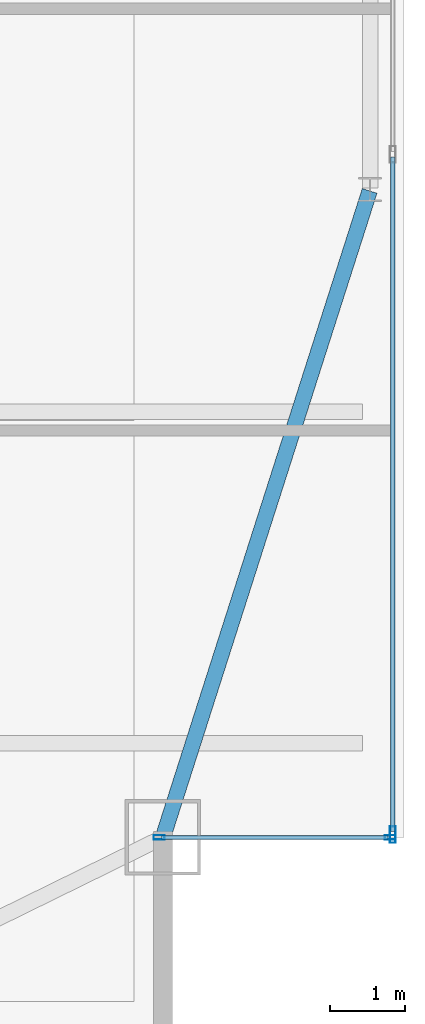
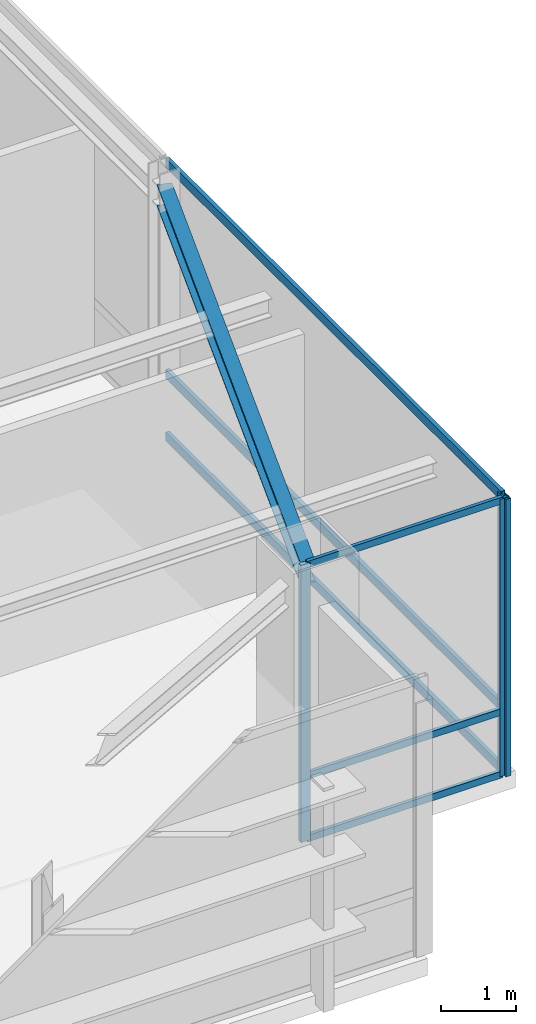
# One storey, part 14 of 21: 9 members, 1 beam, 2 elements without a shape of their own.
"""IFC4 building model written with IfcOpenShell, lengths in metres."""

from ifc_helpers import new_model, si_unit, direction, frame, origin, origin_2d, place, context, subcontext, project, spatial, hollow_rectangle, i_section, extrude, source, transform, mapped, material, layer, layer_set, material_profile, profile_set, type_object, type_shapes, element, aggregate, save


model = new_model("IFC4")

# Units and contexts
model_context = context("Model", 3, precision=1e-05, world=origin(), true_north=direction((0.0, 1.0)))
body_context = subcontext(model_context, "Body", "Model", "MODEL_VIEW")
ifc_project = project(units=[si_unit("LENGTHUNIT", "METRE"), si_unit("AREAUNIT", "SQUARE_METRE"), si_unit("VOLUMEUNIT", "CUBIC_METRE"), si_unit("PLANEANGLEUNIT", "RADIAN"), si_unit("MASSUNIT", "GRAM", prefix="KILO")], contexts=[model_context])

# Site, building, storey
site_placement = place(None, origin())
site = spatial("IfcSite", under=ifc_project, at=site_placement, CompositionType="ELEMENT")
building_placement = place(site_placement, origin())
building = spatial("IfcBuilding", under=site, at=building_placement, Name="Varnel Quay Broadcast Tower", CompositionType="ELEMENT")
storey_placement = place(building_placement, frame((0.0, 0.0, 300.199951171875)))
storey = spatial("IfcBuildingStorey", under=building, at=storey_placement, Name="L75", CompositionType="ELEMENT", Elevation=300.199951171875)

# Beam
ifc_material_1 = material(Name="Structural Steel CSA G40.21 350W", Category="steel")
ifc_material_profile_1 = material_profile(ifc_material_1, i_section(OverallWidth=0.205078125, OverallDepth=0.35400390625, WebThickness=0.009521484375, FlangeThickness=0.016845703125, FilletRadius=0.012939453125, at=origin_2d()), Name="W360X79")
ifc_profile_set_1 = profile_set([ifc_material_profile_1], Name="Structural Steel CSA G40.21 350W")
beam_type = type_object("IfcBeamType", Name="Beam_W360X79", PredefinedType="SPANDREL", material=ifc_profile_set_1)
shared_shape_1 = source(origin(), body_context, "Body", "SweptSolid", [
    extrude(i_section(OverallWidth=0.205078125, OverallDepth=0.35400390625, WebThickness=0.009521484375, FlangeThickness=0.016845703125, FilletRadius=0.012939453125, at=origin_2d()), origin(), (0.0, 0.0, 1.0), 8.989013671875),
])
type_shapes(beam_type, [shared_shape_1])
beam_placement = place(storey_placement, frame((52.80615234375, 16.4189453125, 4.343017578125), z_axis=(0.304568770162, 0.952490348635, 0.0), x_axis=(-0.952490348635, 0.304568770162, 0.0)))
element("IfcBeam", 1, at=beam_placement, inside=storey, type_object=beam_type, Name="L75 East Spandrel MC-SE-TC-E1", PredefinedType="SPANDREL", context=body_context, shape_type="MappedRepresentation", body=[
    mapped(shared_shape_1, transform((0.0, 0.0, 0.0), x_axis=(1.0, 0.0, 0.0), y_axis=(0.0, 1.0, 0.0), z_axis=(0.0, 0.0, 1.0), scale=1.0)),
])

# Curtain wall, members
ifc_material_2 = material(Name="Anodised Bronze Aluminium 6063-T6", Category="aluminium")
ifc_layer_1 = layer(ifc_material_2, 0.18994140625, Name="Anodised Bronze Aluminium 6063-T6")
ifc_layer_set_1 = layer_set([ifc_layer_1], Name="Anodised Bronze Aluminium 6063-T6")
curtain_wall_type_1 = type_object("IfcCurtainWallType", Name="CW_NotchCorner", PredefinedType="NOTDEFINED", material=ifc_layer_set_1)
curtain_wall_1_placement = place(storey_placement, origin())
curtain_wall_1 = element("IfcCurtainWall", 2, at=curtain_wall_1_placement, inside=storey, type_object=curtain_wall_type_1, Name="L75 SE Notch Curtain Wall", PredefinedType="NOTDEFINED")
ifc_material_profile_2 = material_profile(ifc_material_2, hollow_rectangle(XDim=0.054931640625, YDim=0.110107421875, WallThickness=0.0029296875, at=origin_2d()), Name="ALU55X110X3")
ifc_profile_set_2 = profile_set([ifc_material_profile_2], Name="Anodised Bronze Aluminium 6063-T6")
member_type_1 = type_object("IfcMemberType", Name="Tran_CWS-04", PredefinedType="USERDEFINED", material=ifc_profile_set_2)
shared_shape_2 = source(origin(), body_context, "Body", "SweptSolid", [
    extrude(hollow_rectangle(XDim=0.054931640625, YDim=0.110107421875, WallThickness=0.0029296875, at=origin_2d()), origin(), (0.0, 0.0, 1.0), 3.010009765625),
])
type_shapes(member_type_1, [shared_shape_2])
member_1_placement = place(storey_placement, frame((52.780029296875, 16.39990234375, 0.027587890625), z_axis=(1.0, 0.0, 0.0), x_axis=(0.0, 1.0, 0.0)))
member_1 = element("IfcMember", 3, at=member_1_placement, type_object=member_type_1, Name="CWS-04 transom 1.1", ObjectType="TRANSOM", PredefinedType="USERDEFINED", context=body_context, shape_type="MappedRepresentation", body=[
    mapped(shared_shape_2, transform((0.0, 0.0, 0.0), x_axis=(1.0, 0.0, 0.0), y_axis=(0.0, 1.0, 0.0), z_axis=(0.0, 0.0, 1.0), scale=1.0)),
])
member_2_placement = place(storey_placement, frame((52.780029296875, 16.39990234375, 1.050048828125), z_axis=(1.0, 0.0, 0.0), x_axis=(0.0, 1.0, 0.0)))
member_2 = element("IfcMember", 4, at=member_2_placement, type_object=member_type_1, Name="CWS-04 transom 1.2", ObjectType="TRANSOM", PredefinedType="USERDEFINED", context=body_context, shape_type="MappedRepresentation", body=[
    mapped(shared_shape_2, transform((0.0, 0.0, 0.0), x_axis=(1.0, 0.0, 0.0), y_axis=(0.0, 1.0, 0.0), z_axis=(0.0, 0.0, 1.0), scale=1.0)),
])
member_3_placement = place(storey_placement, frame((52.780029296875, 16.39990234375, 4.492431640625), z_axis=(1.0, 0.0, 0.0), x_axis=(0.0, 1.0, 0.0)))
member_3 = element("IfcMember", 5, at=member_3_placement, type_object=member_type_1, Name="CWS-04 transom 1.3", ObjectType="TRANSOM", PredefinedType="USERDEFINED", context=body_context, shape_type="MappedRepresentation", body=[
    mapped(shared_shape_2, transform((0.0, 0.0, 0.0), x_axis=(1.0, 0.0, 0.0), y_axis=(0.0, 1.0, 0.0), z_axis=(0.0, 0.0, 1.0), scale=1.0)),
])

ifc_layer_2 = layer(ifc_material_2, 0.18994140625, Name="Anodised Bronze Aluminium 6063-T6")
ifc_layer_set_2 = layer_set([ifc_layer_2], Name="Anodised Bronze Aluminium 6063-T6")
curtain_wall_type_2 = type_object("IfcCurtainWallType", Name="CW_SkyObsHighVis", PredefinedType="NOTDEFINED", material=ifc_layer_set_2)
curtain_wall_2_placement = place(storey_placement, origin())
curtain_wall_2 = element("IfcCurtainWall", 6, at=curtain_wall_2_placement, inside=storey, type_object=curtain_wall_type_2, Name="L75 East Unitised Curtain Wall", PredefinedType="NOTDEFINED")
ifc_material_profile_3 = material_profile(ifc_material_2, hollow_rectangle(XDim=0.074951171875, YDim=0.219970703125, WallThickness=0.00390625, at=origin_2d()), Name="ALU75X220X4")
ifc_profile_set_3 = profile_set([ifc_material_profile_3], Name="Anodised Bronze Aluminium 6063-T6")
member_type_2 = type_object("IfcMemberType", Name="Mull_CWS-05", PredefinedType="MULLION", material=ifc_profile_set_3)
shared_shape_3 = source(origin(), body_context, "Body", "SweptSolid", [
    extrude(hollow_rectangle(XDim=0.074951171875, YDim=0.219970703125, WallThickness=0.00390625, at=origin_2d()), origin(), (0.0, 0.0, 1.0), 4.52001953125),
])
type_shapes(member_type_2, [shared_shape_3])
member_4_placement = place(storey_placement, frame((55.85009765625, 16.4375, 0.0), z_axis=(0.0, 0.0, 1.0), x_axis=(-1.0, 0.0, 0.0)))
member_4 = element("IfcMember", 7, at=member_4_placement, type_object=member_type_2, Name="CWS-05 mullion 1", PredefinedType="MULLION", context=body_context, shape_type="MappedRepresentation", body=[
    mapped(shared_shape_3, transform((0.0, 0.0, 0.0), x_axis=(1.0, 0.0, 0.0), y_axis=(0.0, 1.0, 0.0), z_axis=(0.0, 0.0, 1.0), scale=1.0)),
])
ifc_material_profile_4 = material_profile(ifc_material_2, hollow_rectangle(XDim=0.06005859375, YDim=0.14501953125, WallThickness=0.00341796875, at=origin_2d()), Name="ALU60X145X3.5")
ifc_profile_set_4 = profile_set([ifc_material_profile_4], Name="Anodised Bronze Aluminium 6063-T6")
member_type_3 = type_object("IfcMemberType", Name="Tran_CWS-05", PredefinedType="USERDEFINED", material=ifc_profile_set_4)
shared_shape_4 = source(origin(), body_context, "Body", "SweptSolid", [
    extrude(hollow_rectangle(XDim=0.06005859375, YDim=0.14501953125, WallThickness=0.00341796875, at=origin_2d()), origin(), (0.0, 0.0, 1.0), 8.9541015625),
])
type_shapes(member_type_3, [shared_shape_4])
member_5_placement = place(storey_placement, frame((55.85009765625, 16.47509765625, 0.030029296875), z_axis=(0.0, 1.0, 0.0), x_axis=(-1.0, 0.0, 0.0)))
member_5 = element("IfcMember", 8, at=member_5_placement, type_object=member_type_3, Name="CWS-05 transom 1.1", ObjectType="TRANSOM", PredefinedType="USERDEFINED", context=body_context, shape_type="MappedRepresentation", body=[
    mapped(shared_shape_4, transform((0.0, 0.0, 0.0), x_axis=(1.0, 0.0, 0.0), y_axis=(0.0, 1.0, 0.0), z_axis=(0.0, 0.0, 1.0), scale=1.0)),
])
member_6_placement = place(storey_placement, frame((55.85009765625, 16.47509765625, 1.050048828125), z_axis=(0.0, 1.0, 0.0), x_axis=(-1.0, 0.0, 0.0)))
member_6 = element("IfcMember", 9, at=member_6_placement, type_object=member_type_3, Name="CWS-05 transom 1.2", ObjectType="TRANSOM", PredefinedType="USERDEFINED", context=body_context, shape_type="MappedRepresentation", body=[
    mapped(shared_shape_4, transform((0.0, 0.0, 0.0), x_axis=(1.0, 0.0, 0.0), y_axis=(0.0, 1.0, 0.0), z_axis=(0.0, 0.0, 1.0), scale=1.0)),
])
member_7_placement = place(storey_placement, frame((55.85009765625, 16.47509765625, 4.489990234375), z_axis=(0.0, 1.0, 0.0), x_axis=(-1.0, 0.0, 0.0)))
member_7 = element("IfcMember", 10, at=member_7_placement, type_object=member_type_3, Name="CWS-05 transom 1.3", ObjectType="TRANSOM", PredefinedType="USERDEFINED", context=body_context, shape_type="MappedRepresentation", body=[
    mapped(shared_shape_4, transform((0.0, 0.0, 0.0), x_axis=(1.0, 0.0, 0.0), y_axis=(0.0, 1.0, 0.0), z_axis=(0.0, 0.0, 1.0), scale=1.0)),
])
aggregate(curtain_wall_2, [member_4, member_5, member_6, member_7])

# Member
ifc_material_profile_5 = material_profile(ifc_material_2, hollow_rectangle(XDim=0.06005859375, YDim=0.14501953125, WallThickness=0.00341796875, at=origin_2d()), Name="ALU60X145X3.5")
ifc_profile_set_5 = profile_set([ifc_material_profile_5], Name="Anodised Bronze Aluminium 6063-T6")
member_type_4 = type_object("IfcMemberType", Name="Mull_CWS-04", PredefinedType="MULLION", material=ifc_profile_set_5)
shared_shape_5 = source(origin(), body_context, "Body", "SweptSolid", [
    extrude(hollow_rectangle(XDim=0.06005859375, YDim=0.14501953125, WallThickness=0.00341796875, at=origin_2d()), origin(), (0.0, 0.0, 1.0), 4.52001953125),
])
type_shapes(member_type_4, [shared_shape_5])
member_8_placement = place(storey_placement, frame((52.75, 16.39990234375, 0.0), z_axis=(0.0, 0.0, 1.0), x_axis=(0.0, 1.0, 0.0)))
member_8 = element("IfcMember", 11, at=member_8_placement, type_object=member_type_4, Name="CWS-04 mullion 1", PredefinedType="MULLION", context=body_context, shape_type="MappedRepresentation", body=[
    mapped(shared_shape_5, transform((0.0, 0.0, 0.0), x_axis=(1.0, 0.0, 0.0), y_axis=(0.0, 1.0, 0.0), z_axis=(0.0, 0.0, 1.0), scale=1.0)),
])

member_9_placement = place(storey_placement, frame((55.820068359375, 16.39990234375, 0.0), z_axis=(0.0, 0.0, 1.0), x_axis=(0.0, 1.0, 0.0)))
member_9 = element("IfcMember", 12, at=member_9_placement, type_object=member_type_4, Name="CWS-04 mullion 2", PredefinedType="MULLION", context=body_context, shape_type="MappedRepresentation", body=[
    mapped(shared_shape_5, transform((0.0, 0.0, 0.0), x_axis=(1.0, 0.0, 0.0), y_axis=(0.0, 1.0, 0.0), z_axis=(0.0, 0.0, 1.0), scale=1.0)),
])

aggregate(curtain_wall_1, [member_8, member_9, member_1, member_2, member_3])

save(model, "model.ifc")
